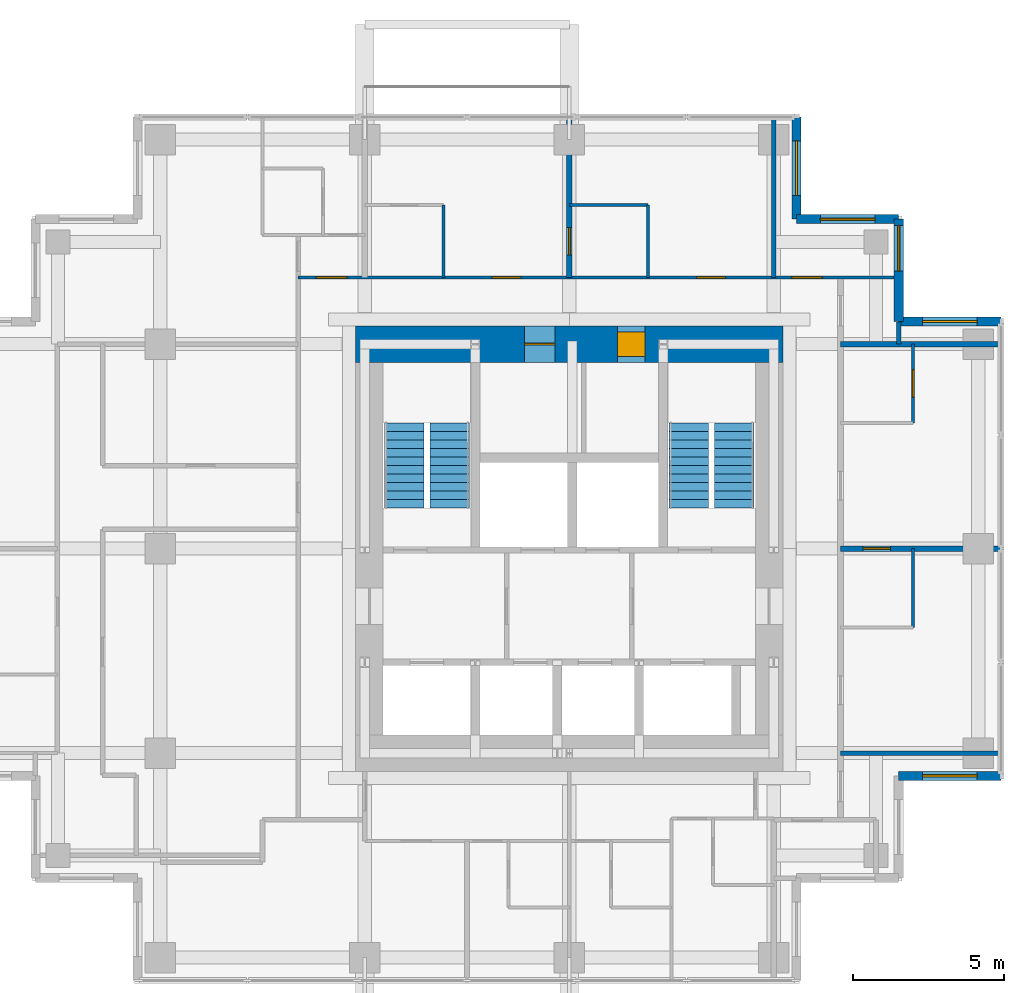
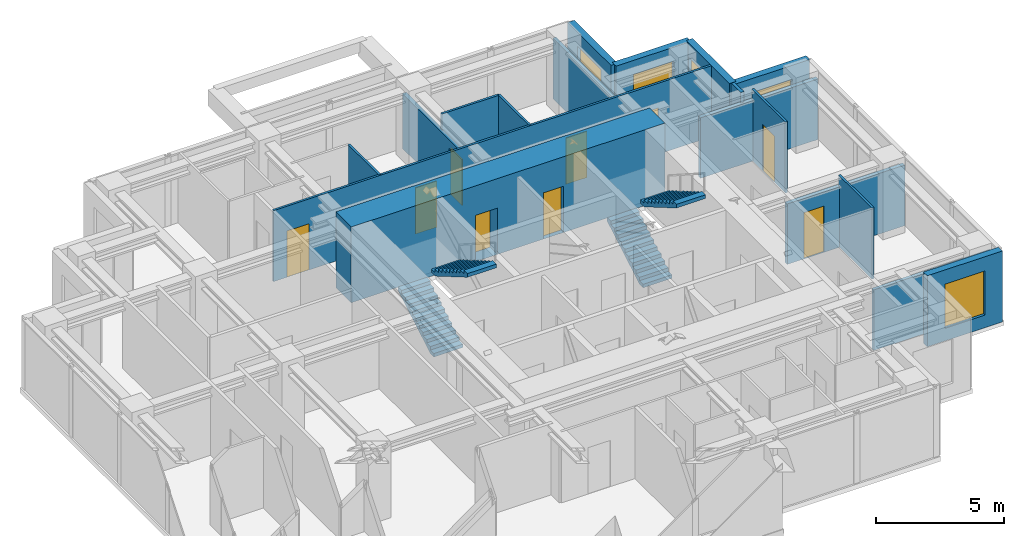
# One storey, part 6 of 7: 18 walls, 9 doors, 5 windows, 4 stair flights, 14 openings, 2 elements without a shape of their own.
"""IFC4 building model written with IfcOpenShell, lengths in metres."""

import ifcopenshell
import ifcopenshell.guid

model = None  # the IFC model being written
_history = None  # IfcOwnerHistory: only IFC2X3 demands one
_inside = {}  # id of a spatial element -> (the spatial element, [elements in it])
_under = {}  # id of a project, library or spatial element -> (it, [spatial elements below it])
_declared = {}  # id of a project -> (the project, [libraries it declares])
_typed = {}  # id of a type object -> (the type object, [elements of that type])
_made_of = {}  # id of a material, layer set ... -> (it, [elements and type objects made of it])


def new_model(schema):
    """Start an empty IFC model of exactly this schema.

    Asked for "IFC4X3", IfcOpenShell would pick the latest addendum, in which some entities
    have other attributes; the version numbers below select the first issue.
    IFC2X3 requires an IfcOwnerHistory on every rooted entity: one is made here for all.
    """
    global model, _history
    if schema == "IFC4X3":
        model = ifcopenshell.file(schema_version=(4, 3, 0, 0))
    else:
        model = ifcopenshell.file(schema=schema)
    _inside.clear()
    _under.clear()
    _declared.clear()
    _typed.clear()
    _made_of.clear()
    _history = None
    if model.schema == "IFC2X3":
        org = make("IfcOrganization", Name="unknown")
        user = make(
            "IfcPersonAndOrganization",
            ThePerson=make("IfcPerson", FamilyName="unknown"),
            TheOrganization=org,
        )
        app = make(
            "IfcApplication",
            ApplicationDeveloper=org,
            Version="unknown",
            ApplicationFullName="unknown",
            ApplicationIdentifier="unknown",
        )
        _history = make(
            "IfcOwnerHistory",
            OwningUser=user,
            OwningApplication=app,
            ChangeAction="ADDED",
            CreationDate=0,
        )
    return model


def make(cls, **values):
    """One entity of the class cls with the attributes given. An attribute that is None is left unset."""
    return model.create_entity(
        cls, **{name: value for name, value in values.items() if value is not None}
    )


def rooted(cls, **values):
    """An entity with a GlobalId (a new one), such as an element, a storey or a relation."""
    return make(cls, GlobalId=ifcopenshell.guid.new(), OwnerHistory=_history, **values)


def si_unit(unit_type, name, prefix=None):
    """IfcSIUnit, for example si_unit("LENGTHUNIT", "METRE", prefix="MILLI")."""
    return make("IfcSIUnit", UnitType=unit_type, Prefix=prefix, Name=name)


def assignment(units):
    """IfcUnitAssignment: the units of a project."""
    return None if units is None else make("IfcUnitAssignment", Units=units)


def point(xyz):
    """IfcCartesianPoint."""
    return None if xyz is None else make("IfcCartesianPoint", Coordinates=xyz)


def direction(xyz):
    """IfcDirection."""
    return None if xyz is None else make("IfcDirection", DirectionRatios=xyz)


def frame(location, z_axis=None, x_axis=None):
    """IfcAxis2Placement3D, a coordinate frame: its origin and axes. An axis left out is left unset."""
    return make(
        "IfcAxis2Placement3D",
        Location=point(location),
        Axis=direction(z_axis),
        RefDirection=direction(x_axis),
    )


def frame_2d(location, x_axis=None):
    """IfcAxis2Placement2D, a coordinate frame in the plane: its origin and x axis."""
    return make(
        "IfcAxis2Placement2D", Location=point(location), RefDirection=direction(x_axis)
    )


def origin():
    """The frame at (0, 0, 0) with its axes left unset."""
    return frame((0.0, 0.0, 0.0))


def place(relative_to, where):
    """IfcLocalPlacement: puts the frame where relative to a parent placement (None: the world)."""
    return make(
        "IfcLocalPlacement", PlacementRelTo=relative_to, RelativePlacement=where
    )


def context(
    kind, dimensions, precision=None, world=None, true_north=None, identifier=None
):
    """IfcGeometricRepresentationContext, for example the 3D "Model" context."""
    return make(
        "IfcGeometricRepresentationContext",
        ContextIdentifier=identifier,
        ContextType=kind,
        CoordinateSpaceDimension=dimensions,
        Precision=precision,
        WorldCoordinateSystem=world,
        TrueNorth=true_north,
    )


def subcontext(parent, identifier, kind, view, scale=None):
    """IfcGeometricRepresentationSubContext, for example "Body" below "Model"."""
    return make(
        "IfcGeometricRepresentationSubContext",
        ContextIdentifier=identifier,
        ContextType=kind,
        ParentContext=parent,
        TargetScale=scale,
        TargetView=view,
    )


def project(units=None, contexts=None):
    """IfcProject with its units and contexts."""
    return rooted(
        "IfcProject",
        Name="project",
        RepresentationContexts=contexts,
        UnitsInContext=assignment(units),
    )


def spatial(cls, under=None, at=None, **own):
    """A site, building, storey or space (cls), placed at a placement, below another one or the project."""
    s = rooted(cls, ObjectPlacement=at, **own)
    if under is not None:
        _under.setdefault(under.id(), (under, []))[1].append(s)
    return s


def polyline(points):
    """IfcPolyline through the points."""
    return make("IfcPolyline", Points=[point(p) for p in points])


def profile(cls, at=None, kind="AREA", **sizes):
    """A parametric profile (cls). Its sizes go by their IFC names, for example OverallWidth=200.0."""
    return make(cls, ProfileType=kind, Position=at, **sizes)


def rectangle(**sizes):
    """IfcRectangleProfileDef."""
    return profile("IfcRectangleProfileDef", **sizes)


def outline(outer, holes=None, kind="AREA"):
    """IfcArbitraryClosedProfileDef: a profile drawn as a closed curve; with holes, ...WithVoids."""
    if holes is None:
        return make("IfcArbitraryClosedProfileDef", ProfileType=kind, OuterCurve=outer)
    return make(
        "IfcArbitraryProfileDefWithVoids",
        ProfileType=kind,
        OuterCurve=outer,
        InnerCurves=holes,
    )


def extrude(swept, where, along, depth):
    """IfcExtrudedAreaSolid: the profile swept, set in the frame where, extruded along a direction by depth."""
    return make(
        "IfcExtrudedAreaSolid",
        SweptArea=swept,
        Position=where,
        ExtrudedDirection=direction(along),
        Depth=depth,
    )


def shape(context_of_items, identifier, shape_type, items):
    """IfcShapeRepresentation: the items that make up one representation, for example the "Body"."""
    return make(
        "IfcShapeRepresentation",
        ContextOfItems=context_of_items,
        RepresentationIdentifier=identifier,
        RepresentationType=shape_type,
        Items=items,
    )


def material(Name=None, Category=None):
    """IfcMaterial."""
    return make("IfcMaterial", Name=Name, Category=Category)


def layer(
    of_material, thickness, ventilated=None, Name=None, Category=None, Priority=None
):
    """IfcMaterialLayer: one layer of a wall or slab, of a material (None: an air gap)."""
    return make(
        "IfcMaterialLayer",
        Material=of_material,
        LayerThickness=thickness,
        IsVentilated=ventilated,
        Name=Name,
        Category=Category,
        Priority=Priority,
    )


def layer_set(layers, Name=None):
    """IfcMaterialLayerSet."""
    return make("IfcMaterialLayerSet", MaterialLayers=layers, LayerSetName=Name)


def made_of(thing, what):
    """Note that an element or type object is made of a material, layer set ...; save() writes the relation."""
    if what is not None:
        _made_of.setdefault(what.id(), (what, []))[1].append(thing)
    return thing


def type_object(cls, material=None, **own):
    """A type object (cls), such as IfcWallType, which elements share."""
    return made_of(rooted(cls, **own), material)


def element(
    cls,
    number,
    at=None,
    inside=None,
    cuts=None,
    type_object=None,
    material=None,
    context=None,
    identifier="Body",
    shape_type=None,
    held_by="IfcProductDefinitionShape",
    body=None,
    shapes=None,
    **own,
):
    """One element of the class cls, such as IfcWall. Its Tag is "e" and its number.

    at: its placement. inside: the storey or other place that contains it. cuts: it is an
    opening in that element (IfcRelVoidsElement). A single representation is given by context,
    identifier, shape_type and body (its items); several are given by shapes. held_by: the class
    of the entity that holds the representations. save() writes the other relations.
    """
    e = rooted(cls, Tag="e%d" % number, ObjectPlacement=at, **own)
    if body is not None:
        shapes = [shape(context, identifier, shape_type, body)]
    if shapes is not None:
        e.Representation = make(held_by, Representations=shapes)
    if inside is not None:
        _inside.setdefault(inside.id(), (inside, []))[1].append(e)
    if cuts is not None:
        rooted(
            "IfcRelVoidsElement", RelatingBuildingElement=cuts, RelatedOpeningElement=e
        )
    if type_object is not None:
        _typed.setdefault(type_object.id(), (type_object, []))[1].append(e)
    return made_of(e, material)


def fill(opening, filler):
    """IfcRelFillsElement: the door or window that sits in an opening."""
    return rooted(
        "IfcRelFillsElement",
        RelatingOpeningElement=opening,
        RelatedBuildingElement=filler,
    )


def aggregate(whole, parts):
    """IfcRelAggregates: a whole, such as a stair, and the parts it consists of."""
    return rooted("IfcRelAggregates", RelatingObject=whole, RelatedObjects=parts)


def save(model, path):
    """Write the relations noted so far, then the file.

    IfcRelAggregates (storeys below a building ...), IfcRelContainedInSpatialStructure (elements
    in a storey), IfcRelDefinesByType, IfcRelAssociatesMaterial and IfcRelDeclares: one each for
    every whole, place, type object, material and project.
    """
    for whole, parts in _under.values():
        aggregate(whole, parts)
    for where, things in _inside.values():
        rooted(
            "IfcRelContainedInSpatialStructure",
            RelatedElements=things,
            RelatingStructure=where,
        )
    for kind, things in _typed.values():
        rooted("IfcRelDefinesByType", RelatedObjects=things, RelatingType=kind)
    for what, things in _made_of.values():
        rooted("IfcRelAssociatesMaterial", RelatedObjects=things, RelatingMaterial=what)
    for by, libraries in _declared.values():
        rooted("IfcRelDeclares", RelatingContext=by, RelatedDefinitions=libraries)
    model.write(path)


model = new_model("IFC4")

# Units and contexts
model_context = context("Model", 3, precision=1e-05, world=origin(), true_north=direction((0.0, 1.0)))
body_context = subcontext(model_context, "Body", "Model", "MODEL_VIEW")
ifc_project = project(units=[si_unit("LENGTHUNIT", "METRE"), si_unit("AREAUNIT", "SQUARE_METRE"), si_unit("VOLUMEUNIT", "CUBIC_METRE"), si_unit("PLANEANGLEUNIT", "RADIAN"), si_unit("MASSUNIT", "GRAM", prefix="KILO")], contexts=[model_context])

# Site, building, storey
site_placement = place(None, origin())
site = spatial("IfcSite", under=ifc_project, at=site_placement, CompositionType="ELEMENT")
building_placement = place(site_placement, origin())
building = spatial("IfcBuilding", under=site, at=building_placement, Name="Nyansa Garden Tower", CompositionType="ELEMENT")
storey_placement = place(building_placement, frame((0.0, 0.0, 236.699951171875)))
storey = spatial("IfcBuildingStorey", under=building, at=storey_placement, Name="L64", CompositionType="ELEMENT", Elevation=236.699951171875)

# Wall, opening, door
ifc_material_1 = material(Name="Dense blockwork, plastered both sides, 55 dB", Category="masonry")
ifc_layer_1 = layer(ifc_material_1, 0.175048828125)
ifc_layer_set_1 = layer_set([ifc_layer_1], Name="Acoustic party wall PW175")
wall_type_1 = type_object("IfcWallType", Name="Acoustic party wall PW175", PredefinedType="PARTITIONING", material=ifc_layer_set_1)
wall_1_placement = place(storey_placement, frame((20.25, 29.199951171875, 0.0), z_axis=(0.0, 0.0, 1.0), x_axis=(0.0, 1.0, 0.0)))
wall_1 = element("IfcWall", 1, at=wall_1_placement, inside=storey, type_object=wall_type_1, Name="Party wall", PredefinedType="PARTITIONING", context=body_context, shape_type="SweptSolid", body=[
    extrude(rectangle(XDim=5.283935546875, YDim=0.175048828125, at=frame_2d((2.64208984375, 0.0))), origin(), (0.0, 0.0, 1.0), 2.610107421875),
])
opening_1_placement = place(wall_1_placement, frame((0.75, 0.0, 0.0)))
opening_1 = element("IfcOpeningElement", 2, at=opening_1_placement, cuts=wall_1, Name="Opening D02", PredefinedType="OPENING", context=body_context, shape_type="SweptSolid", body=[
    extrude(rectangle(XDim=0.89990234375, YDim=2.199951171875, at=frame_2d((0.449951171875, 1.10009765625))), frame((0.0, 0.097412109375, 0.0), z_axis=(0.0, -1.0, 0.0), x_axis=(1.0, 0.0, 0.0)), (0.0, 0.0, 1.0), 0.195068359375),
])
ifc_material_2 = material(Name="Timber flush door", Category="wood")
door_type_1 = type_object("IfcDoorType", Name="En-suite door D02 900x2200", OperationType="SINGLE_SWING_RIGHT", PredefinedType="DOOR", material=ifc_material_2)
door_1_placement = place(opening_1_placement, origin())
door_1 = element("IfcDoor", 3, at=door_1_placement, inside=storey, type_object=door_type_1, Name="Door L64-036", OperationType="SINGLE_SWING_RIGHT", OverallHeight=2.199951171875, OverallWidth=0.89990234375, PredefinedType="DOOR", context=body_context, shape_type="SweptSolid", body=[
    extrude(rectangle(XDim=0.89990234375, YDim=2.199951171875, at=frame_2d((0.449951171875, 1.10009765625))), frame((0.0, 0.02490234375, 0.0), z_axis=(0.0, -1.0, 0.0), x_axis=(1.0, 0.0, 0.0)), (0.0, 0.0, 1.0), 0.050048828125),
])
fill(opening_1, door_1)

wall_2_placement = place(storey_placement, frame((29.199951171875, 20.25, 0.0), z_axis=(0.0, 0.0, 1.0), x_axis=(1.0, 0.0, 0.0)))
wall_2 = element("IfcWall", 4, at=wall_2_placement, inside=storey, type_object=wall_type_1, Name="Party wall", PredefinedType="PARTITIONING", context=body_context, shape_type="SweptSolid", body=[
    extrude(rectangle(XDim=5.283935546875, YDim=0.175048828125, at=frame_2d((2.64208984375, 0.0))), origin(), (0.0, 0.0, 1.0), 2.876953125),
])
opening_2_placement = place(wall_2_placement, frame((0.75, 0.0, 0.0)))
opening_2 = element("IfcOpeningElement", 5, at=opening_2_placement, cuts=wall_2, Name="Opening D02", PredefinedType="OPENING", context=body_context, shape_type="SweptSolid", body=[
    extrude(rectangle(XDim=0.89990234375, YDim=2.199951171875, at=frame_2d((0.449951171875, 1.10009765625))), frame((0.0, 0.097412109375, 0.0), z_axis=(0.0, -1.0, 0.0), x_axis=(1.0, 0.0, 0.0)), (0.0, 0.0, 1.0), 0.195068359375),
])
door_2_placement = place(opening_2_placement, origin())
door_2 = element("IfcDoor", 6, at=door_2_placement, inside=storey, type_object=door_type_1, Name="Door L64-030", OperationType="SINGLE_SWING_RIGHT", OverallHeight=2.199951171875, OverallWidth=0.89990234375, PredefinedType="DOOR", context=body_context, shape_type="SweptSolid", body=[
    extrude(rectangle(XDim=0.89990234375, YDim=2.199951171875, at=frame_2d((0.449951171875, 1.10009765625))), frame((0.0, 0.02490234375, 0.0), z_axis=(0.0, -1.0, 0.0), x_axis=(1.0, 0.0, 0.0)), (0.0, 0.0, 1.0), 0.050048828125),
])
fill(opening_2, door_2)

# Wall
wall_3_placement = place(storey_placement, frame((29.199951171875, 27.0, 0.0), z_axis=(0.0, 0.0, 1.0), x_axis=(1.0, 0.0, 0.0)))
element("IfcWall", 7, at=wall_3_placement, inside=storey, type_object=wall_type_1, Name="Party wall", PredefinedType="PARTITIONING", context=body_context, shape_type="SweptSolid", body=[
    extrude(rectangle(XDim=5.283935546875, YDim=0.175048828125, at=frame_2d((2.64208984375, 0.0))), origin(), (0.0, 0.0, 1.0), 2.876953125),
])

# Wall, openings, doors
ifc_material_3 = material(Name="Concrete C80/95", Category="concrete")
ifc_layer_2 = layer(ifc_material_3, 1.199951171875)
ifc_layer_set_2 = layer_set([ifc_layer_2], Name="Core wall CW1200")
wall_type_2 = type_object("IfcWallType", Name="Core wall CW1200", PredefinedType="SHEAR", material=ifc_layer_set_2)
wall_4_placement = place(storey_placement, frame((27.300048828125, 27.0, 0.0), z_axis=(0.0, 0.0, 1.0), x_axis=(-1.0, 0.0, 0.0)))
wall_4 = element("IfcWall", 8, at=wall_4_placement, inside=storey, type_object=wall_type_2, Name="Core wall N L64", PredefinedType="SHEAR", context=body_context, shape_type="SweptSolid", body=[
    extrude(rectangle(XDim=14.10009765625, YDim=1.199951171875, at=frame_2d((7.050048828125, 0.0))), origin(), (0.0, 0.0, 1.0), 3.60009765625),
])
opening_3_placement = place(wall_4_placement, frame((4.550048828125, 0.0, 0.0)))
opening_3 = element("IfcOpeningElement", 9, at=opening_3_placement, cuts=wall_4, Name="Opening D15", PredefinedType="OPENING", context=body_context, shape_type="SweptSolid", body=[
    extrude(rectangle(XDim=0.89990234375, YDim=2.199951171875, at=frame_2d((0.449951171875, 1.10009765625))), frame((0.0, 0.60986328125, 0.0), z_axis=(0.0, -1.0, 0.0), x_axis=(1.0, 0.0, 0.0)), (0.0, 0.0, 1.0), 1.219970703125),
])
opening_4_placement = place(wall_4_placement, frame((7.52490234375, 0.0, 0.0)))
opening_4 = element("IfcOpeningElement", 10, at=opening_4_placement, cuts=wall_4, Name="Opening D07", PredefinedType="OPENING", context=body_context, shape_type="SweptSolid", body=[
    extrude(rectangle(XDim=1.0, YDim=2.199951171875, at=frame_2d((0.5, 1.10009765625))), frame((0.0, 0.60986328125, 0.0), z_axis=(0.0, -1.0, 0.0), x_axis=(1.0, 0.0, 0.0)), (0.0, 0.0, 1.0), 1.219970703125),
])
ifc_material_4 = material(Name="Timber flush door, 60 minute fire resisting, self-closing", Category="wood")
door_type_2 = type_object("IfcDoorType", Name="Core room door D15 900x2200", OperationType="SINGLE_SWING_LEFT", PredefinedType="DOOR", material=ifc_material_4)
door_3_placement = place(opening_3_placement, origin())
door_3 = element("IfcDoor", 11, at=door_3_placement, inside=storey, type_object=door_type_2, Name="Core room door", OperationType="SINGLE_SWING_LEFT", OverallHeight=2.199951171875, OverallWidth=0.89990234375, PredefinedType="DOOR", context=body_context, shape_type="SweptSolid", body=[
    extrude(rectangle(XDim=0.89990234375, YDim=2.199951171875, at=frame_2d((0.449951171875, 1.10009765625))), frame((0.0, 0.39990234375, 0.0), z_axis=(0.0, -1.0, 0.0), x_axis=(1.0, 0.0, 0.0)), (0.0, 0.0, 1.0), 0.800048828125),
])
fill(opening_3, door_3)
ifc_material_5 = material(Name="Steel door, 120 minute fire resisting", Category="steel")
door_type_3 = type_object("IfcDoorType", Name="Riser door D07 1000x2200", OperationType="SINGLE_SWING_LEFT", PredefinedType="DOOR", material=ifc_material_5)
door_4_placement = place(opening_4_placement, origin())
door_4 = element("IfcDoor", 12, at=door_4_placement, inside=storey, type_object=door_type_3, Name="Riser and refuse room door", OperationType="SINGLE_SWING_LEFT", OverallHeight=2.199951171875, OverallWidth=1.0, PredefinedType="DOOR", context=body_context, shape_type="SweptSolid", body=[
    extrude(rectangle(XDim=1.0, YDim=2.199951171875, at=frame_2d((0.5, 1.10009765625))), frame((0.0, 0.02490234375, 0.0), z_axis=(0.0, -1.0, 0.0), x_axis=(1.0, 0.0, 0.0)), (0.0, 0.0, 1.0), 0.050048828125),
])
fill(opening_4, door_4)

# Walls
ifc_material_6 = material(Name="Blockwork, plastered both sides", Category="masonry")
ifc_layer_3 = layer(ifc_material_6, 0.14990234375)
ifc_layer_set_3 = layer_set([ifc_layer_3], Name="Partition PW150")
wall_type_3 = type_object("IfcWallType", Name="Partition PW150", PredefinedType="PARTITIONING", material=ifc_layer_set_3)
for number, where, z_axis, x_axis, name in (
    (13, (27.0, 29.199951171875, 0.0), (0.0, 0.0, 1.0), (0.0, 1.0, 0.0), "Partition"),
    (14, (29.199951171875, 13.5, 0.0), (0.0, 0.0, 1.0), (1.0, 0.0, 0.0), "Partition"),
):
    element("IfcWall", number, at=place(storey_placement, frame(where, z_axis=z_axis, x_axis=x_axis)), inside=storey, type_object=wall_type_3, Name=name, PredefinedType="PARTITIONING", context=body_context, shape_type="SweptSolid", body=[
        extrude(rectangle(XDim=5.283935546875, YDim=0.14990234375, at=frame_2d((2.64208984375, 0.0))), origin(), (0.0, 0.0, 1.0), 2.876953125),
    ])
wall_5_placement = place(storey_placement, frame((31.125, 27.0, 0.0), z_axis=(0.0, 0.0, 1.0), x_axis=(0.0, 1.0, 0.0)))
element("IfcWall", 15, at=wall_5_placement, inside=storey, type_object=wall_type_3, Name="Partition", PredefinedType="PARTITIONING", context=body_context, shape_type="SweptSolid", body=[
    extrude(rectangle(XDim=0.73388671875, YDim=0.14990234375, at=frame_2d((0.366943359375, 0.0))), origin(), (0.0, 0.0, 1.0), 3.375),
])

# Wall, opening, window
ifc_material_7 = material(Name="Turquoise glazed tile on concrete blockwork", Category="masonry")
ifc_layer_4 = layer(ifc_material_7, 0.300048828125)
ifc_layer_set_4 = layer_set([ifc_layer_4], Name="Tiled corner wall TW300")
wall_type_4 = type_object("IfcWallType", Name="Tiled corner wall TW300", PredefinedType="SOLIDWALL", material=ifc_layer_set_4)
wall_6_placement = place(storey_placement, frame((34.5, 27.75, 0.0), z_axis=(0.0, 0.0, 1.0), x_axis=(-1.0, 0.0, 0.0)))
wall_6 = element("IfcWall", 16, at=wall_6_placement, inside=storey, type_object=wall_type_4, Name="Tiled corner wall L64", PredefinedType="SOLIDWALL", context=body_context, shape_type="SweptSolid", body=[
    extrude(rectangle(XDim=3.375, YDim=0.300048828125, at=frame_2d((1.6875, 0.0))), origin(), (0.0, 0.0, 1.0), 3.375),
])
opening_5_placement = place(wall_6_placement, frame((0.78759765625, 0.0, 0.60009765625)))
opening_5 = element("IfcOpeningElement", 17, at=opening_5_placement, cuts=wall_6, Name="Opening W2", PredefinedType="OPENING", context=body_context, shape_type="SweptSolid", body=[
    extrude(rectangle(XDim=1.800048828125, YDim=2.10009765625, at=frame_2d((0.89990234375, 1.050048828125))), frame((0.0, 0.159912109375, 0.0), z_axis=(0.0, -1.0, 0.0), x_axis=(1.0, 0.0, 0.0)), (0.0, 0.0, 1.0), 0.320068359375),
])
ifc_material_8 = material(Name="Black aluminium frame, dark tinted double glazing", Category="aluminium")
window_type_1 = type_object("IfcWindowType", Name="Window W2 1800x2100", PartitioningType="SINGLE_PANEL", PredefinedType="WINDOW", material=ifc_material_8)
window_1_placement = place(opening_5_placement, origin())
window_1 = element("IfcWindow", 18, at=window_1_placement, inside=storey, type_object=window_type_1, Name="Corner window L64", OverallHeight=2.10009765625, OverallWidth=1.800048828125, PartitioningType="SINGLE_PANEL", PredefinedType="WINDOW", context=body_context, shape_type="SweptSolid", body=[
    extrude(rectangle(XDim=1.800048828125, YDim=2.10009765625, at=frame_2d((0.89990234375, 1.050048828125))), frame((0.0, 0.030029296875, 0.0), z_axis=(0.0, -1.0, 0.0), x_axis=(1.0, 0.0, 0.0)), (0.0, 0.0, 1.0), 0.06005859375),
])
fill(opening_5, window_1)

wall_7_placement = place(storey_placement, frame((31.125, 27.75, 0.0), z_axis=(0.0, 0.0, 1.0), x_axis=(0.0, 1.0, 0.0)))
wall_7 = element("IfcWall", 19, at=wall_7_placement, inside=storey, type_object=wall_type_4, Name="Tiled corner wall L64", PredefinedType="SOLIDWALL", context=body_context, shape_type="SweptSolid", body=[
    extrude(rectangle(XDim=3.375, YDim=0.300048828125, at=frame_2d((1.6875, 0.0))), origin(), (0.0, 0.0, 1.0), 3.375),
])
opening_6_placement = place(wall_7_placement, frame((1.66259765625, 0.0, 0.89990234375)))
opening_6 = element("IfcOpeningElement", 20, at=opening_6_placement, cuts=wall_7, Name="Opening W1", PredefinedType="OPENING", context=body_context, shape_type="SweptSolid", body=[
    extrude(rectangle(XDim=1.5, YDim=1.800048828125, at=frame_2d((0.75, 0.89990234375))), frame((0.0, 0.159912109375, 0.0), z_axis=(0.0, -1.0, 0.0), x_axis=(1.0, 0.0, 0.0)), (0.0, 0.0, 1.0), 0.320068359375),
])
ifc_material_9 = material(Name="Black aluminium frame, dark tinted double glazing", Category="aluminium")
window_type_2 = type_object("IfcWindowType", Name="Window W1 1500x1800", PartitioningType="SINGLE_PANEL", PredefinedType="WINDOW", material=ifc_material_9)
window_2_placement = place(opening_6_placement, origin())
window_2 = element("IfcWindow", 21, at=window_2_placement, inside=storey, type_object=window_type_2, Name="Corner window L64", OverallHeight=1.800048828125, OverallWidth=1.5, PartitioningType="SINGLE_PANEL", PredefinedType="WINDOW", context=body_context, shape_type="SweptSolid", body=[
    extrude(rectangle(XDim=1.5, YDim=1.800048828125, at=frame_2d((0.75, 0.89990234375))), frame((0.0, 0.030029296875, 0.0), z_axis=(0.0, -1.0, 0.0), x_axis=(1.0, 0.0, 0.0)), (0.0, 0.0, 1.0), 0.06005859375),
])
fill(opening_6, window_2)

wall_8_placement = place(storey_placement, frame((31.125, 31.125, 0.0), z_axis=(0.0, 0.0, 1.0), x_axis=(-1.0, 0.0, 0.0)))
wall_8 = element("IfcWall", 22, at=wall_8_placement, inside=storey, type_object=wall_type_4, Name="Tiled corner wall L64", PredefinedType="SOLIDWALL", context=body_context, shape_type="SweptSolid", body=[
    extrude(rectangle(XDim=3.375, YDim=0.300048828125, at=frame_2d((1.6875, 0.0))), origin(), (0.0, 0.0, 1.0), 3.375),
])
opening_7_placement = place(wall_8_placement, frame((0.78759765625, 0.0, 0.60009765625)))
opening_7 = element("IfcOpeningElement", 23, at=opening_7_placement, cuts=wall_8, Name="Opening W2", PredefinedType="OPENING", context=body_context, shape_type="SweptSolid", body=[
    extrude(rectangle(XDim=1.800048828125, YDim=2.10009765625, at=frame_2d((0.89990234375, 1.050048828125))), frame((0.0, 0.159912109375, 0.0), z_axis=(0.0, -1.0, 0.0), x_axis=(1.0, 0.0, 0.0)), (0.0, 0.0, 1.0), 0.320068359375),
])
window_3_placement = place(opening_7_placement, origin())
window_3 = element("IfcWindow", 24, at=window_3_placement, inside=storey, type_object=window_type_1, Name="Corner window L64", OverallHeight=2.10009765625, OverallWidth=1.800048828125, PartitioningType="SINGLE_PANEL", PredefinedType="WINDOW", context=body_context, shape_type="SweptSolid", body=[
    extrude(rectangle(XDim=1.800048828125, YDim=2.10009765625, at=frame_2d((0.89990234375, 1.050048828125))), frame((0.0, 0.030029296875, 0.0), z_axis=(0.0, -1.0, 0.0), x_axis=(1.0, 0.0, 0.0)), (0.0, 0.0, 1.0), 0.06005859375),
])
fill(opening_7, window_3)

wall_9_placement = place(storey_placement, frame((27.75, 31.125, 0.0), z_axis=(0.0, 0.0, 1.0), x_axis=(0.0, 1.0, 0.0)))
wall_9 = element("IfcWall", 25, at=wall_9_placement, inside=storey, type_object=wall_type_4, Name="Tiled corner wall L64", PredefinedType="SOLIDWALL", context=body_context, shape_type="SweptSolid", body=[
    extrude(rectangle(XDim=3.375, YDim=0.300048828125, at=frame_2d((1.6875, 0.0))), origin(), (0.0, 0.0, 1.0), 3.375),
])
opening_8_placement = place(wall_9_placement, frame((0.78759765625, 0.0, 0.60009765625)))
opening_8 = element("IfcOpeningElement", 26, at=opening_8_placement, cuts=wall_9, Name="Opening W2", PredefinedType="OPENING", context=body_context, shape_type="SweptSolid", body=[
    extrude(rectangle(XDim=1.800048828125, YDim=2.10009765625, at=frame_2d((0.89990234375, 1.050048828125))), frame((0.0, 0.159912109375, 0.0), z_axis=(0.0, -1.0, 0.0), x_axis=(1.0, 0.0, 0.0)), (0.0, 0.0, 1.0), 0.320068359375),
])
window_4_placement = place(opening_8_placement, origin())
window_4 = element("IfcWindow", 27, at=window_4_placement, inside=storey, type_object=window_type_1, Name="Corner window L64", OverallHeight=2.10009765625, OverallWidth=1.800048828125, PartitioningType="SINGLE_PANEL", PredefinedType="WINDOW", context=body_context, shape_type="SweptSolid", body=[
    extrude(rectangle(XDim=1.800048828125, YDim=2.10009765625, at=frame_2d((0.89990234375, 1.050048828125))), frame((0.0, 0.030029296875, 0.0), z_axis=(0.0, -1.0, 0.0), x_axis=(1.0, 0.0, 0.0)), (0.0, 0.0, 1.0), 0.06005859375),
])
fill(opening_8, window_4)

wall_10_placement = place(storey_placement, frame((31.125, 12.75, 0.0), z_axis=(0.0, 0.0, 1.0), x_axis=(1.0, 0.0, 0.0)))
wall_10 = element("IfcWall", 28, at=wall_10_placement, inside=storey, type_object=wall_type_4, Name="Tiled corner wall L64", PredefinedType="SOLIDWALL", context=body_context, shape_type="SweptSolid", body=[
    extrude(rectangle(XDim=3.375, YDim=0.300048828125, at=frame_2d((1.6875, 0.0))), origin(), (0.0, 0.0, 1.0), 3.375),
])
opening_9_placement = place(wall_10_placement, frame((0.78759765625, 0.0, 0.60009765625)))
opening_9 = element("IfcOpeningElement", 29, at=opening_9_placement, cuts=wall_10, Name="Opening W2", PredefinedType="OPENING", context=body_context, shape_type="SweptSolid", body=[
    extrude(rectangle(XDim=1.800048828125, YDim=2.10009765625, at=frame_2d((0.89990234375, 1.050048828125))), frame((0.0, 0.159912109375, 0.0), z_axis=(0.0, -1.0, 0.0), x_axis=(1.0, 0.0, 0.0)), (0.0, 0.0, 1.0), 0.320068359375),
])
window_5_placement = place(opening_9_placement, origin())
window_5 = element("IfcWindow", 30, at=window_5_placement, inside=storey, type_object=window_type_1, Name="Corner window L64", OverallHeight=2.10009765625, OverallWidth=1.800048828125, PartitioningType="SINGLE_PANEL", PredefinedType="WINDOW", context=body_context, shape_type="SweptSolid", body=[
    extrude(rectangle(XDim=1.800048828125, YDim=2.10009765625, at=frame_2d((0.89990234375, 1.050048828125))), frame((0.0, 0.030029296875, 0.0), z_axis=(0.0, -1.0, 0.0), x_axis=(1.0, 0.0, 0.0)), (0.0, 0.0, 1.0), 0.06005859375),
])
fill(opening_9, window_5)

# Wall, openings, doors
ifc_material_10 = material(Name="Moisture resistant board on steel studs, tiled", Category="steel")
ifc_layer_5 = layer(ifc_material_10, 0.10009765625)
ifc_layer_set_5 = layer_set([ifc_layer_5], Name="Wet wall PW100")
wall_type_5 = type_object("IfcWallType", Name="Wet wall PW100", PredefinedType="PARTITIONING", material=ifc_layer_set_5)
wall_11_placement = place(storey_placement, frame((11.300048828125, 29.199951171875, 0.0), z_axis=(0.0, 0.0, 1.0), x_axis=(1.0, 0.0, 0.0)))
wall_11 = element("IfcWall", 31, at=wall_11_placement, inside=storey, type_object=wall_type_5, Name="Wet wall", PredefinedType="PARTITIONING", context=body_context, shape_type="SweptSolid", body=[
    extrude(rectangle(XDim=19.808837890625, YDim=0.10009765625, at=frame_2d((9.904296875, 0.0))), origin(), (0.0, 0.0, 1.0), 3.375),
])
opening_10_placement = place(wall_11_placement, frame((16.300048828125, 0.0, 0.0)))
opening_10 = element("IfcOpeningElement", 32, at=opening_10_placement, cuts=wall_11, Name="Opening D03", PredefinedType="OPENING", context=body_context, shape_type="SweptSolid", body=[
    extrude(rectangle(XDim=1.0, YDim=2.199951171875, at=frame_2d((0.5, 1.10009765625))), frame((0.0, 0.06005859375, 0.0), z_axis=(0.0, -1.0, 0.0), x_axis=(1.0, 0.0, 0.0)), (0.0, 0.0, 1.0), 0.1201171875),
])
opening_11_placement = place(wall_11_placement, frame((6.39990234375, 0.0, 0.0)))
opening_11 = element("IfcOpeningElement", 33, at=opening_11_placement, cuts=wall_11, Name="Opening D14", PredefinedType="OPENING", context=body_context, shape_type="SweptSolid", body=[
    extrude(rectangle(XDim=0.949951171875, YDim=2.199951171875, at=frame_2d((0.47509765625, 1.10009765625))), frame((0.0, 0.06005859375, 0.0), z_axis=(0.0, -1.0, 0.0), x_axis=(1.0, 0.0, 0.0)), (0.0, 0.0, 1.0), 0.1201171875),
])
opening_12_placement = place(wall_11_placement, frame((13.14990234375, 0.0, 0.0)))
opening_12 = element("IfcOpeningElement", 34, at=opening_12_placement, cuts=wall_11, Name="Opening D14", PredefinedType="OPENING", context=body_context, shape_type="SweptSolid", body=[
    extrude(rectangle(XDim=0.949951171875, YDim=2.199951171875, at=frame_2d((0.47509765625, 1.10009765625))), frame((0.0, 0.06005859375, 0.0), z_axis=(0.0, -1.0, 0.0), x_axis=(1.0, 0.0, 0.0)), (0.0, 0.0, 1.0), 0.1201171875),
])
opening_13_placement = place(wall_11_placement, frame((0.60009765625, 0.0, 0.0)))
opening_13 = element("IfcOpeningElement", 35, at=opening_13_placement, cuts=wall_11, Name="Opening D03", PredefinedType="OPENING", context=body_context, shape_type="SweptSolid", body=[
    extrude(rectangle(XDim=1.0, YDim=2.199951171875, at=frame_2d((0.5, 1.10009765625))), frame((0.0, 0.06005859375, 0.0), z_axis=(0.0, -1.0, 0.0), x_axis=(1.0, 0.0, 0.0)), (0.0, 0.0, 1.0), 0.1201171875),
])
ifc_material_11 = material(Name="Timber flush door, 60 minute fire resisting", Category="wood")
door_type_4 = type_object("IfcDoorType", Name="Cluster entrance door D03 1000x2200", OperationType="SINGLE_SWING_LEFT", PredefinedType="DOOR", material=ifc_material_11)
door_5_placement = place(opening_10_placement, origin())
door_5 = element("IfcDoor", 36, at=door_5_placement, inside=storey, type_object=door_type_4, Name="Door L64-032", OperationType="SINGLE_SWING_LEFT", OverallHeight=2.199951171875, OverallWidth=1.0, PredefinedType="DOOR", context=body_context, shape_type="SweptSolid", body=[
    extrude(rectangle(XDim=1.0, YDim=2.199951171875, at=frame_2d((0.5, 1.10009765625))), frame((0.0, 0.02490234375, 0.0), z_axis=(0.0, -1.0, 0.0), x_axis=(1.0, 0.0, 0.0)), (0.0, 0.0, 1.0), 0.050048828125),
])
fill(opening_10, door_5)
door_6_placement = place(opening_13_placement, origin())
door_6 = element("IfcDoor", 37, at=door_6_placement, inside=storey, type_object=door_type_4, Name="Door L64-039", OperationType="SINGLE_SWING_LEFT", OverallHeight=2.199951171875, OverallWidth=1.0, PredefinedType="DOOR", context=body_context, shape_type="SweptSolid", body=[
    extrude(rectangle(XDim=1.0, YDim=2.199951171875, at=frame_2d((0.5, 1.10009765625))), frame((0.0, 0.02490234375, 0.0), z_axis=(0.0, -1.0, 0.0), x_axis=(1.0, 0.0, 0.0)), (0.0, 0.0, 1.0), 0.050048828125),
])
fill(opening_13, door_6)
ifc_material_12 = material(Name="Timber flush door, 60 minute fire resisting, self-closing", Category="wood")
door_type_5 = type_object("IfcDoorType", Name="Studio entrance door D14 950x2200", OperationType="SINGLE_SWING_LEFT", PredefinedType="DOOR", material=ifc_material_12)
door_7_placement = place(opening_11_placement, origin())
door_7 = element("IfcDoor", 38, at=door_7_placement, inside=storey, type_object=door_type_5, Name="Door L64-033", OperationType="SINGLE_SWING_LEFT", OverallHeight=2.199951171875, OverallWidth=0.949951171875, PredefinedType="DOOR", context=body_context, shape_type="SweptSolid", body=[
    extrude(rectangle(XDim=0.949951171875, YDim=2.199951171875, at=frame_2d((0.47509765625, 1.10009765625))), frame((0.0, 0.02490234375, 0.0), z_axis=(0.0, -1.0, 0.0), x_axis=(1.0, 0.0, 0.0)), (0.0, 0.0, 1.0), 0.050048828125),
])
fill(opening_11, door_7)
door_8_placement = place(opening_12_placement, origin())
door_8 = element("IfcDoor", 39, at=door_8_placement, inside=storey, type_object=door_type_5, Name="Door L64-035", OperationType="SINGLE_SWING_LEFT", OverallHeight=2.199951171875, OverallWidth=0.949951171875, PredefinedType="DOOR", context=body_context, shape_type="SweptSolid", body=[
    extrude(rectangle(XDim=0.949951171875, YDim=2.199951171875, at=frame_2d((0.47509765625, 1.10009765625))), frame((0.0, 0.02490234375, 0.0), z_axis=(0.0, -1.0, 0.0), x_axis=(1.0, 0.0, 0.0)), (0.0, 0.0, 1.0), 0.050048828125),
])
fill(opening_12, door_8)

# Walls
wall_12_placement = place(storey_placement, frame((16.10009765625, 29.199951171875, 0.0), z_axis=(0.0, 0.0, 1.0), x_axis=(0.0, 1.0, 0.0)))
element("IfcWall", 40, at=wall_12_placement, inside=storey, type_object=wall_type_5, Name="Wet wall", PredefinedType="PARTITIONING", context=body_context, shape_type="SweptSolid", body=[
    extrude(rectangle(XDim=2.400146484375, YDim=0.10009765625, at=frame_2d((1.2001953125, 0.0))), origin(), (0.0, 0.0, 1.0), 3.375),
])
wall_13_placement = place(storey_placement, frame((20.25, 31.60009765625, 0.0), z_axis=(0.0, 0.0, 1.0), x_axis=(1.0, 0.0, 0.0)))
element("IfcWall", 41, at=wall_13_placement, inside=storey, type_object=wall_type_5, Name="Wet wall", PredefinedType="PARTITIONING", context=body_context, shape_type="SweptSolid", body=[
    extrude(rectangle(XDim=2.60009765625, YDim=0.10009765625, at=frame_2d((1.300048828125, 0.0))), origin(), (0.0, 0.0, 1.0), 3.375),
])
wall_14_placement = place(storey_placement, frame((22.85009765625, 29.199951171875, 0.0), z_axis=(0.0, 0.0, 1.0), x_axis=(0.0, 1.0, 0.0)))
element("IfcWall", 42, at=wall_14_placement, inside=storey, type_object=wall_type_5, Name="Wet wall", PredefinedType="PARTITIONING", context=body_context, shape_type="SweptSolid", body=[
    extrude(rectangle(XDim=2.400146484375, YDim=0.10009765625, at=frame_2d((1.2001953125, 0.0))), origin(), (0.0, 0.0, 1.0), 3.375),
])
wall_15_placement = place(storey_placement, frame((31.60009765625, 17.64990234375, 0.0), z_axis=(0.0, 0.0, 1.0), x_axis=(0.0, 1.0, 0.0)))
element("IfcWall", 43, at=wall_15_placement, inside=storey, type_object=wall_type_5, Name="Wet wall", PredefinedType="PARTITIONING", context=body_context, shape_type="SweptSolid", body=[
    extrude(rectangle(XDim=2.60009765625, YDim=0.10009765625, at=frame_2d((1.300048828125, 0.0))), origin(), (0.0, 0.0, 1.0), 3.375),
])

# Wall, opening, door
wall_16_placement = place(storey_placement, frame((31.60009765625, 24.39990234375, 0.0), z_axis=(0.0, 0.0, 1.0), x_axis=(0.0, 1.0, 0.0)))
wall_16 = element("IfcWall", 44, at=wall_16_placement, inside=storey, type_object=wall_type_5, Name="Wet wall", PredefinedType="PARTITIONING", context=body_context, shape_type="SweptSolid", body=[
    extrude(rectangle(XDim=2.60009765625, YDim=0.10009765625, at=frame_2d((1.300048828125, 0.0))), origin(), (0.0, 0.0, 1.0), 3.375),
])
opening_14_placement = place(wall_16_placement, frame((0.85009765625, 0.0, 0.0)))
opening_14 = element("IfcOpeningElement", 45, at=opening_14_placement, cuts=wall_16, Name="Opening D02", PredefinedType="OPENING", context=body_context, shape_type="SweptSolid", body=[
    extrude(rectangle(XDim=0.89990234375, YDim=2.199951171875, at=frame_2d((0.449951171875, 1.10009765625))), frame((0.0, 0.06005859375, 0.0), z_axis=(0.0, -1.0, 0.0), x_axis=(1.0, 0.0, 0.0)), (0.0, 0.0, 1.0), 0.1201171875),
])
door_9_placement = place(opening_14_placement, origin())
door_9 = element("IfcDoor", 46, at=door_9_placement, inside=storey, type_object=door_type_1, Name="Door L64-028", OperationType="SINGLE_SWING_RIGHT", OverallHeight=2.199951171875, OverallWidth=0.89990234375, PredefinedType="DOOR", context=body_context, shape_type="SweptSolid", body=[
    extrude(rectangle(XDim=0.89990234375, YDim=2.199951171875, at=frame_2d((0.449951171875, 1.10009765625))), frame((0.0, 0.02490234375, 0.0), z_axis=(0.0, -1.0, 0.0), x_axis=(1.0, 0.0, 0.0)), (0.0, 0.0, 1.0), 0.050048828125),
])
fill(opening_14, door_9)

# Stair, stair flights
ifc_material_13 = material(Name="Precast concrete C40/50", Category="concrete")
stair_type_1 = type_object("IfcStairType", Name="Stair S1 164x280", PredefinedType="HALF_TURN_STAIR", material=ifc_material_13)
stair_1_placement = place(storey_placement, origin())
stair_1 = element("IfcStair", 47, at=stair_1_placement, inside=storey, type_object=stair_type_1, Name="Stair S1 L64", PredefinedType="HALF_TURN_STAIR")
ifc_material_14 = material(Name="Precast concrete C40/50", Category="concrete")
stair_flight_type_1 = type_object("IfcStairFlightType", Name="Stair flight S1 164x280x11", PredefinedType="STRAIGHT", material=ifc_material_14)
stair_flight_1_placement = place(storey_placement, frame((14.800048828125, 21.60009765625, 0.0), z_axis=(0.0, 0.0, 1.0), x_axis=(0.0, 1.0, 0.0)))
stair_flight_1 = element("IfcStairFlight", 48, at=stair_flight_1_placement, type_object=stair_flight_type_1, Name="S1 flight 1", NumberOfRisers=11, NumberOfTreads=10, PredefinedType="STRAIGHT", RiserHeight=0.163636364, TreadLength=0.28, context=body_context, shape_type="SweptSolid", body=[
    extrude(outline(polyline([(0.0, 0.0), (0.0, 0.16357421875), (0.280029296875, 0.16357421875), (0.280029296875, 0.327392578125), (0.56005859375, 0.327392578125), (0.56005859375, 0.490966796875), (0.840087890625, 0.490966796875), (0.840087890625, 0.654541015625), (1.1201171875, 0.654541015625), (1.1201171875, 0.818115234375), (1.39990234375, 0.818115234375), (1.39990234375, 0.98193359375), (1.679931640625, 0.98193359375), (1.679931640625, 1.1455078125), (1.9599609375, 1.1455078125), (1.9599609375, 1.30908203125), (2.239990234375, 1.30908203125), (2.239990234375, 1.47265625), (2.52001953125, 1.47265625), (2.52001953125, 1.636474609375), (2.800048828125, 1.636474609375), (2.800048828125, 1.800048828125), (2.800048828125, 1.462646484375), (0.297119140625, 0.0), (0.0, 0.0)])), frame((0.0, 0.64990234375, 0.0), z_axis=(0.0, -1.0, 0.0), x_axis=(1.0, 0.0, 0.0)), (0.0, 0.0, 1.0), 1.300048828125),
])
stair_flight_2_placement = place(storey_placement, frame((16.300048828125, 24.39990234375, 1.800048828125), z_axis=(0.0, 0.0, 1.0), x_axis=(0.0, -1.0, 0.0)))
stair_flight_2 = element("IfcStairFlight", 49, at=stair_flight_2_placement, type_object=stair_flight_type_1, Name="S1 flight 2", NumberOfRisers=11, NumberOfTreads=10, PredefinedType="STRAIGHT", RiserHeight=0.163636364, TreadLength=0.28, context=body_context, shape_type="SweptSolid", body=[
    extrude(outline(polyline([(0.0, 0.0), (0.0, 0.16357421875), (0.280029296875, 0.16357421875), (0.280029296875, 0.327392578125), (0.56005859375, 0.327392578125), (0.56005859375, 0.490966796875), (0.840087890625, 0.490966796875), (0.840087890625, 0.654541015625), (1.1201171875, 0.654541015625), (1.1201171875, 0.818115234375), (1.39990234375, 0.818115234375), (1.39990234375, 0.98193359375), (1.679931640625, 0.98193359375), (1.679931640625, 1.1455078125), (1.9599609375, 1.1455078125), (1.9599609375, 1.30908203125), (2.239990234375, 1.30908203125), (2.239990234375, 1.47265625), (2.52001953125, 1.47265625), (2.52001953125, 1.636474609375), (2.800048828125, 1.636474609375), (2.800048828125, 1.800048828125), (2.800048828125, 1.462646484375), (0.297119140625, 0.0), (0.0, 0.0)])), frame((0.0, 0.64990234375, 0.0), z_axis=(0.0, -1.0, 0.0), x_axis=(1.0, 0.0, 0.0)), (0.0, 0.0, 1.0), 1.300048828125),
])
aggregate(stair_1, [stair_flight_1, stair_flight_2])

ifc_material_15 = material(Name="Precast concrete C40/50", Category="concrete")
stair_type_2 = type_object("IfcStairType", Name="Stair S2 164x280", PredefinedType="HALF_TURN_STAIR", material=ifc_material_15)
stair_2_placement = place(storey_placement, origin())
stair_2 = element("IfcStair", 50, at=stair_2_placement, inside=storey, type_object=stair_type_2, Name="Stair S2 L64", PredefinedType="HALF_TURN_STAIR")
ifc_material_16 = material(Name="Precast concrete C40/50", Category="concrete")
stair_flight_type_2 = type_object("IfcStairFlightType", Name="Stair flight S2 164x280x11", PredefinedType="STRAIGHT", material=ifc_material_16)
stair_flight_3_placement = place(storey_placement, frame((24.199951171875, 21.60009765625, 0.0), z_axis=(0.0, 0.0, 1.0), x_axis=(0.0, 1.0, 0.0)))
stair_flight_3 = element("IfcStairFlight", 51, at=stair_flight_3_placement, type_object=stair_flight_type_2, Name="S2 flight 1", NumberOfRisers=11, NumberOfTreads=10, PredefinedType="STRAIGHT", RiserHeight=0.163636364, TreadLength=0.28, context=body_context, shape_type="SweptSolid", body=[
    extrude(outline(polyline([(0.0, 0.0), (0.0, 0.16357421875), (0.280029296875, 0.16357421875), (0.280029296875, 0.327392578125), (0.56005859375, 0.327392578125), (0.56005859375, 0.490966796875), (0.840087890625, 0.490966796875), (0.840087890625, 0.654541015625), (1.1201171875, 0.654541015625), (1.1201171875, 0.818115234375), (1.39990234375, 0.818115234375), (1.39990234375, 0.98193359375), (1.679931640625, 0.98193359375), (1.679931640625, 1.1455078125), (1.9599609375, 1.1455078125), (1.9599609375, 1.30908203125), (2.239990234375, 1.30908203125), (2.239990234375, 1.47265625), (2.52001953125, 1.47265625), (2.52001953125, 1.636474609375), (2.800048828125, 1.636474609375), (2.800048828125, 1.800048828125), (2.800048828125, 1.462646484375), (0.297119140625, 0.0), (0.0, 0.0)])), frame((0.0, 0.64990234375, 0.0), z_axis=(0.0, -1.0, 0.0), x_axis=(1.0, 0.0, 0.0)), (0.0, 0.0, 1.0), 1.300048828125),
])
stair_flight_4_placement = place(storey_placement, frame((25.699951171875, 24.39990234375, 1.800048828125), z_axis=(0.0, 0.0, 1.0), x_axis=(0.0, -1.0, 0.0)))
stair_flight_4 = element("IfcStairFlight", 52, at=stair_flight_4_placement, type_object=stair_flight_type_2, Name="S2 flight 2", NumberOfRisers=11, NumberOfTreads=10, PredefinedType="STRAIGHT", RiserHeight=0.163636364, TreadLength=0.28, context=body_context, shape_type="SweptSolid", body=[
    extrude(outline(polyline([(0.0, 0.0), (0.0, 0.16357421875), (0.280029296875, 0.16357421875), (0.280029296875, 0.327392578125), (0.56005859375, 0.327392578125), (0.56005859375, 0.490966796875), (0.840087890625, 0.490966796875), (0.840087890625, 0.654541015625), (1.1201171875, 0.654541015625), (1.1201171875, 0.818115234375), (1.39990234375, 0.818115234375), (1.39990234375, 0.98193359375), (1.679931640625, 0.98193359375), (1.679931640625, 1.1455078125), (1.9599609375, 1.1455078125), (1.9599609375, 1.30908203125), (2.239990234375, 1.30908203125), (2.239990234375, 1.47265625), (2.52001953125, 1.47265625), (2.52001953125, 1.636474609375), (2.800048828125, 1.636474609375), (2.800048828125, 1.800048828125), (2.800048828125, 1.462646484375), (0.297119140625, 0.0), (0.0, 0.0)])), frame((0.0, 0.64990234375, 0.0), z_axis=(0.0, -1.0, 0.0), x_axis=(1.0, 0.0, 0.0)), (0.0, 0.0, 1.0), 1.300048828125),
])
aggregate(stair_2, [stair_flight_3, stair_flight_4])

save(model, "model.ifc")
